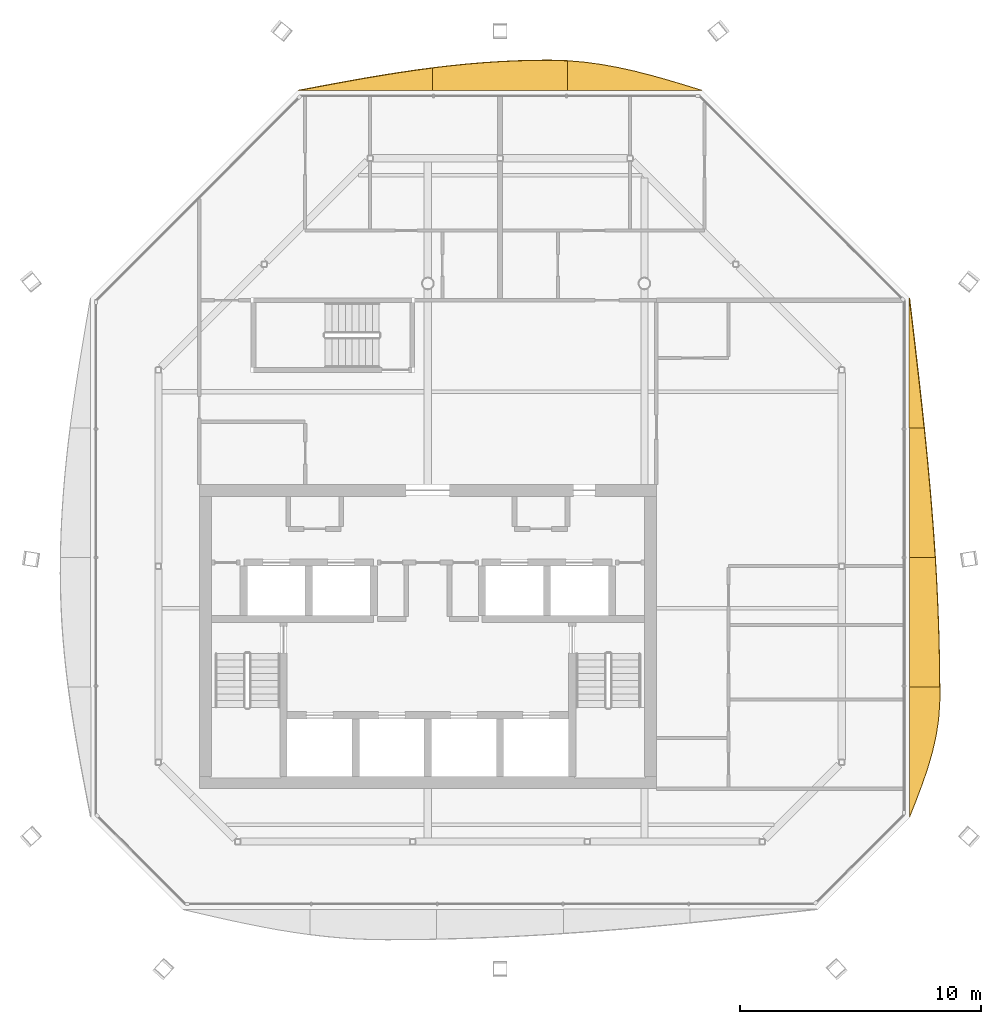
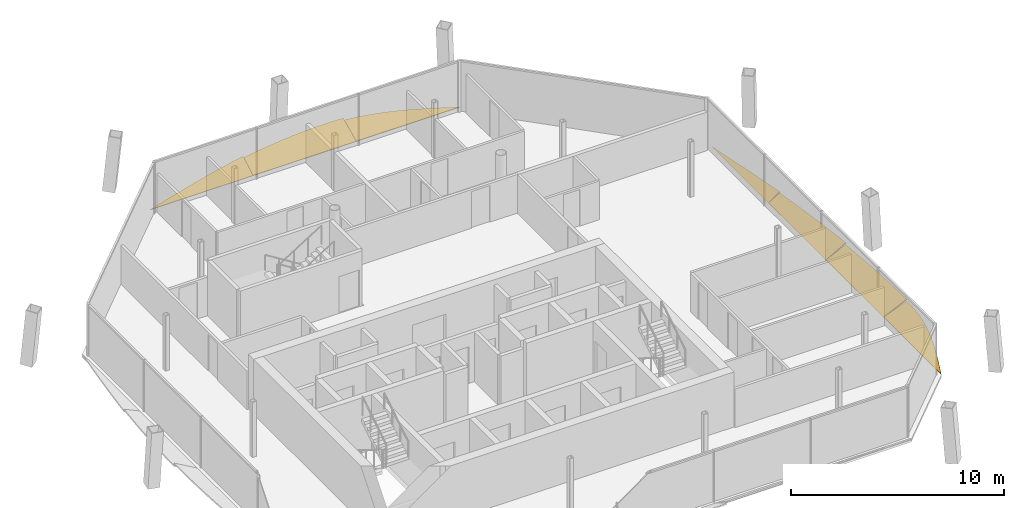
# One storey, part 16 of 16: 7 shading devices.
"""IFC4 building model written with IfcOpenShell, lengths in metres."""

from ifc_helpers import new_model, si_unit, direction, frame, origin, place, context, subcontext, project, spatial, polyline, outline, extrude, material, layer, layer_set, type_object, element, save


model = new_model("IFC4")

# Units and contexts
model_context = context("Model", 3, precision=1e-05, world=origin(), true_north=direction((0.0, 1.0)))
body_context = subcontext(model_context, "Body", "Model", "MODEL_VIEW")
ifc_project = project(units=[si_unit("LENGTHUNIT", "METRE"), si_unit("AREAUNIT", "SQUARE_METRE"), si_unit("VOLUMEUNIT", "CUBIC_METRE"), si_unit("PLANEANGLEUNIT", "RADIAN"), si_unit("MASSUNIT", "GRAM", prefix="KILO")], contexts=[model_context])

# Site, building, storey
site_placement = place(None, origin())
site = spatial("IfcSite", under=ifc_project, at=site_placement, CompositionType="ELEMENT")
building_placement = place(site_placement, origin())
building = spatial("IfcBuilding", under=site, at=building_placement, Name="Tskaro Facet Tower", CompositionType="ELEMENT")
storey_placement = place(building_placement, frame((0.0, 0.0, 265.800048828125)))
storey = spatial("IfcBuildingStorey", under=building, at=storey_placement, Name="L70", CompositionType="ELEMENT", Elevation=265.800048828125)

# Shading devices
ifc_material = material(Name="Bronze anodised aluminium 6063-T6", Category="aluminium")
ifc_layer = layer(ifc_material, 0.06005859375, Name="Bronze anodised aluminium 6063-T6")
ifc_layer_set = layer_set([ifc_layer], Name="Bronze anodised aluminium 6063-T6")
shading_device_type = type_object("IfcShadingDeviceType", Name="Bronze sun blade (FN1)", PredefinedType="USERDEFINED", material=ifc_layer_set)
shading_device_1_placement = place(storey_placement, frame((20.0224609375, -13.174072265625, 0.056396484375), z_axis=(-0.34194878157, 1.7199998e-05, 0.939718591115), x_axis=(5.881518e-06, 0.999999999852, -1.6163158e-05)))
element("IfcShadingDevice", 1, at=shading_device_1_placement, inside=storey, type_object=shading_device_type, Name="Fin blade east 1", ObjectType="FIN", PredefinedType="USERDEFINED", context=body_context, shape_type="SweptSolid", body=[
    extrude(outline(polyline([(0.0, 0.0), (5.391357421077511, -4.5666573667521275e-21), (5.391357422879394, -1.3361227747145694), (4.9599609364197095, -1.3372074358298667), (4.717529297968308, -1.3332651820313968), (4.043457029377513, -1.2813696667659036), (3.3696289072910734, -1.1711541531323977), (2.695800778905627, -1.0078125232231714), (2.021728515105067, -0.7988953502781128), (1.3479003921512682, -0.5536012264936513), (0.6740722640803034, -0.2832145827075473), (0.0, 0.0)])), origin(), (0.0, 0.0, -1.0), 0.06005859375),
])
shading_device_2_placement = place(storey_placement, frame((20.017578125, -7.78271484375, 0.054443359375), z_axis=(-0.422514088954, -1.8032636e-05, 0.906356356137), x_axis=(-7.619043e-06, 0.999999999837, 1.6343995e-05)))
element("IfcShadingDevice", 2, at=shading_device_2_placement, inside=storey, type_object=shading_device_type, Name="Fin blade east 2", ObjectType="FIN", PredefinedType="USERDEFINED", context=body_context, shape_type="SweptSolid", body=[
    extrude(outline(polyline([(0.0, 0.0), (5.39111328037347, 9.132901143197979e-21), (5.391113281922948, -1.1814746803504017), (4.717285153100765, -1.2252795247720512), (4.043457031689192, -1.264158009478719), (3.369384765092567, -1.2978006759091096), (2.695556640411163, -1.3260893985096918), (2.021728515159902, -1.349245455687762), (1.347656252434059, -1.3668262906287276), (0.6738281236429708, -1.378846876032355), (-1.9977388671391718e-09, -1.3852922391988778), (0.0, 0.0)])), origin(), (0.0, 0.0, -1.0), 0.06005859375),
])
shading_device_3_placement = place(storey_placement, frame((20.012939453125, -2.3916015625, 0.052001953125), z_axis=(-0.49984874248, 2.3448511e-05, 0.866112714427), x_axis=(1.1720709e-05, 0.999999999725, -2.0309053e-05)))
element("IfcShadingDevice", 3, at=shading_device_3_placement, inside=storey, type_object=shading_device_type, Name="Fin blade east 3", ObjectType="FIN", PredefinedType="USERDEFINED", context=body_context, shape_type="SweptSolid", body=[
    extrude(outline(polyline([(0.0, 0.0), (5.391357420392828, 0.0), (5.391357421860959, -0.7083305490106313), (4.717529297889096, -0.7875183344414886), (4.043457031565381, -0.8636479332715118), (3.3696289033749354, -0.9361744055173157), (2.6958007826093615, -1.004853684410044), (2.021728513004193, -1.0695069301195959), (1.3479003906840894, -1.1297680424926866), (0.6740722643428516, -1.185336148314787), (-3.782952461458321e-09, -1.2364227008853759), (0.0, 0.0)])), origin(), (0.0, 0.0, -1.0), 0.06005859375),
])
shading_device_4_placement = place(storey_placement, frame((20.008544921875, 2.999755859375, 0.049072265625), z_axis=(-0.573523913581, -1.3985469e-05, 0.8191888185), x_axis=(-8.021001e-06, 0.999999999902, 1.145674e-05)))
element("IfcShadingDevice", 4, at=shading_device_4_placement, inside=storey, type_object=shading_device_type, Name="Fin blade east 4", ObjectType="FIN", PredefinedType="USERDEFINED", context=body_context, shape_type="SweptSolid", body=[
    extrude(outline(polyline([(0.0, 0.0), (5.3913574213477435, 0.0), (4.717285156804745, -0.09780381656024184), (4.043457029250863, -0.19512759487686698), (3.369628906732934, -0.29151136362611985), (2.6955566410736194, -0.38687507910470587), (2.021728514642318, -0.4806787262855752), (1.3479003907305602, -0.5725223106284054), (0.6738281250775099, -0.6619257938895798), (-1.0668805715456525e-09, -0.7488891760690985), (0.0, 0.0)])), origin(), (0.0, 0.0, -1.0), 0.06005859375),
])
shading_device_5_placement = place(storey_placement, frame((11.39111328125, 17.0224609375, 0.056396484375), z_axis=(1.286978e-06, -0.34195288226, 0.939717099085), x_axis=(-0.999999999999, -4.40086e-07, 1.209396e-06)))
element("IfcShadingDevice", 5, at=shading_device_5_placement, inside=storey, type_object=shading_device_type, Name="Fin blade north 1", ObjectType="FIN", PredefinedType="USERDEFINED", context=body_context, shape_type="SweptSolid", body=[
    extrude(outline(polyline([(0.0, 0.0), (5.593994140620367, 0.0), (5.593994140619117, -1.3122608557314075), (4.894775390557383, -1.2488514859320776), (4.195556640694144, -1.1486063189976323), (3.496337890733315, -1.0142994630180922), (2.797119140727387, -0.8501025954541337), (2.097900390513963, -0.6606462400062214), (1.3986816404941063, -0.4514996435056883), (0.6994628906391087, -0.2291497452634433), (0.0, 0.0)])), origin(), (0.0, 0.0, -1.0), 0.06005859375),
])
shading_device_6_placement = place(storey_placement, frame((5.797119140625, 17.017578125, 0.054443359375), z_axis=(4.987659e-06, -0.422506359421, 0.906359959522), x_axis=(-0.999999999988, -2.107318e-06, 4.520614e-06)))
element("IfcShadingDevice", 6, at=shading_device_6_placement, inside=storey, type_object=shading_device_type, Name="Fin blade north 2", ObjectType="FIN", PredefinedType="USERDEFINED", context=body_context, shape_type="SweptSolid", body=[
    extrude(outline(polyline([(0.0, 0.0), (5.5942382811804165, 2.3692520695050095e-21), (5.594238281430404, -1.0365355305403008), (4.894775390783927, -1.1278470615634895), (4.19555664066245, -1.2064891448314485), (3.4963378908807563, -1.271694791516535), (2.7971191402604774, -1.3228151411114446), (2.0979003903450595, -1.3591863557551915), (1.3986816405453193, -1.3804840051941236), (0.7832031246460306, -1.3863836591745888), (0.699462890786554, -1.3861623798875935), (-2.9739792444625633e-11, -1.3608234843771339), (0.0, 0.0)])), origin(), (0.0, 0.0, -1.0), 0.06005859375),
])
shading_device_7_placement = place(storey_placement, frame((0.202880859375, 17.012939453125, 0.052001953125), z_axis=(-1.8417186e-05, -0.499814095857, 0.866132708795), x_axis=(-0.99999999983, 9.205169e-06, -1.5951728e-05)))
element("IfcShadingDevice", 7, at=shading_device_7_placement, inside=storey, type_object=shading_device_type, Name="Fin blade north 3", ObjectType="FIN", PredefinedType="USERDEFINED", context=body_context, shape_type="SweptSolid", body=[
    extrude(outline(polyline([(0.0, 0.0), (5.593994139676279, 9.476594687713762e-21), (4.894531250516645, -0.15301559399044773), (4.1953125018283375, -0.30406288101157025), (3.4960937495385496, -0.4518405203073642), (2.796874999635469, -0.5944696381636313), (2.097656248671246, -0.7306488938243683), (1.398437498739606, -0.8586214385011437), (0.6992187486400537, -0.9772973896188479), (-1.7810416341276932e-09, -1.0847084402081562), (0.0, 0.0)])), origin(), (0.0, 0.0, -1.0), 0.06005859375),
])

save(model, "model.ifc")
